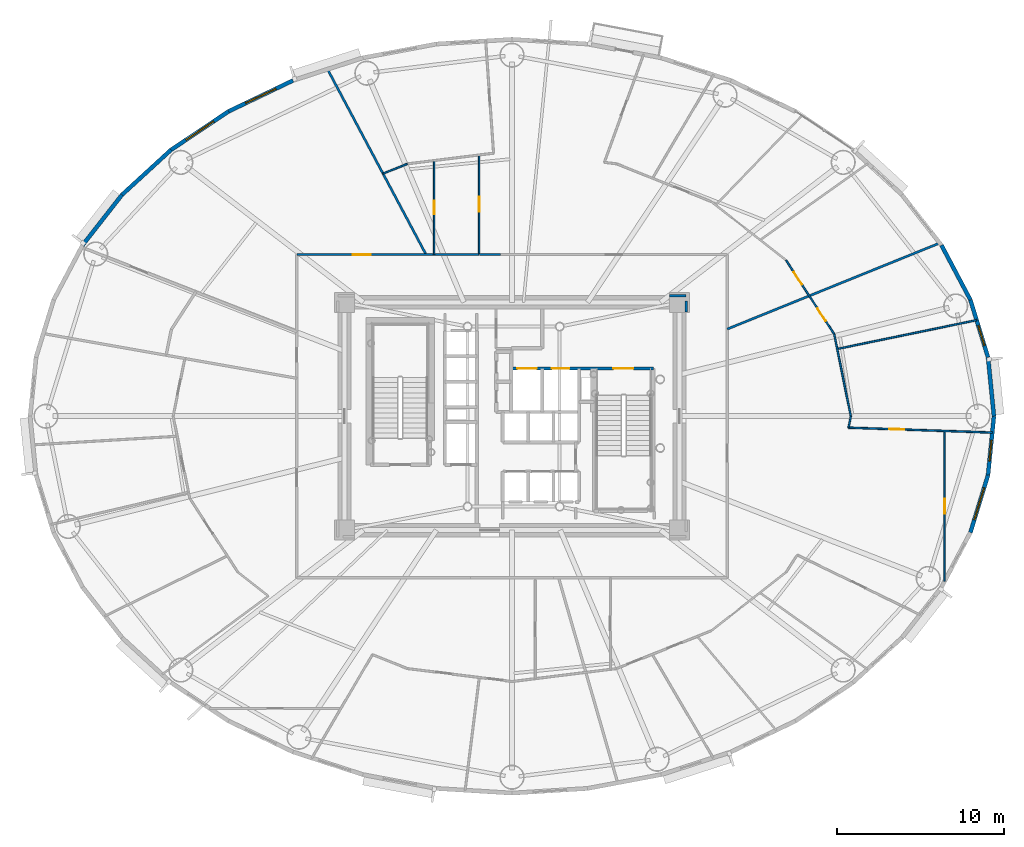
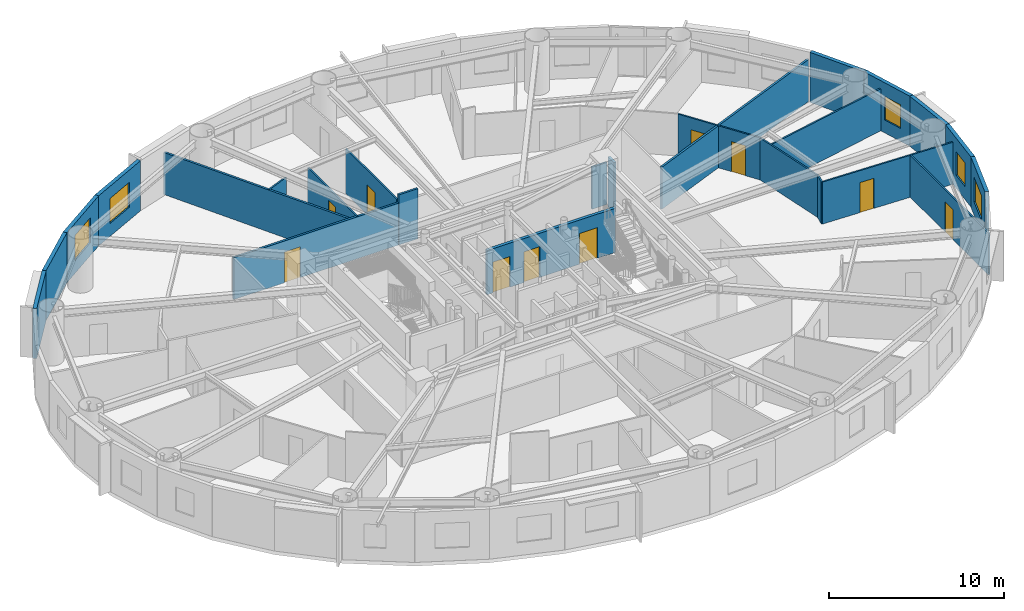
# One storey, part 13 of 20: 25 walls, 10 doors, 5 windows, 15 openings.
"""IFC4 building model written with IfcOpenShell, lengths in metres."""

from ifc_helpers import new_model, si_unit, direction, frame, frame_2d, origin, origin_2d, place, context, subcontext, project, spatial, rectangle, extrude, source, transform, mapped, material, layer, layer_set, type_object, element, fill, save


model = new_model("IFC4")

# Units and contexts
model_context = context("Model", 3, precision=1e-05, world=origin(), true_north=direction((0.0, 1.0)))
body_context = subcontext(model_context, "Body", "Model", "MODEL_VIEW")
ifc_project = project(units=[si_unit("LENGTHUNIT", "METRE"), si_unit("AREAUNIT", "SQUARE_METRE"), si_unit("VOLUMEUNIT", "CUBIC_METRE"), si_unit("PLANEANGLEUNIT", "RADIAN"), si_unit("MASSUNIT", "GRAM", prefix="KILO")], contexts=[model_context])

# Site, building, storey
site_placement = place(None, origin())
site = spatial("IfcSite", under=ifc_project, at=site_placement, CompositionType="ELEMENT")
building_placement = place(site_placement, origin())
building = spatial("IfcBuilding", under=site, at=building_placement, Name="Linh Dai School and Residence Tower", CompositionType="ELEMENT")
storey_placement = place(building_placement, frame((0.0, 0.0, 127.199951171875)))
storey = spatial("IfcBuildingStorey", under=building, at=storey_placement, Name="L30", CompositionType="ELEMENT", Elevation=127.199951171875)

# Wall
ifc_material_1 = material(Name="Precast Concrete B45 (C35/45)", Category="concrete")
ifc_layer_1 = layer(ifc_material_1, 0.239990234375)
ifc_layer_set_1 = layer_set([ifc_layer_1], Name="Precast Concrete B45 (C35/45)")
wall_type_1 = type_object("IfcWallType", Name="EW-TC-240", PredefinedType="SOLIDWALL", material=ifc_layer_set_1)
wall_1_placement = place(storey_placement, frame((64.421630859375, 30.515380859375, 0.0), z_axis=(0.0, 0.0, 1.0), x_axis=(0.099989468229, -0.994988495533, 0.0)))
element("IfcWall", 1, at=wall_1_placement, inside=storey, type_object=wall_type_1, Name="L30 Terracotta Exterior Wall 01", PredefinedType="SOLIDWALL", context=body_context, shape_type="SweptSolid", body=[
    extrude(rectangle(XDim=3.533203125, YDim=0.239990234375, at=frame_2d((1.7666015625, 0.0))), origin(), (0.0, 0.0, 1.0), 3.5),
])

# Wall, opening, window
wall_2_placement = place(storey_placement, frame((63.3701171875, 33.945068359375, 0.0), z_axis=(0.0, 0.0, 1.0), x_axis=(0.293124431344, -0.956074300329, 0.0)))
wall_2 = element("IfcWall", 2, at=wall_2_placement, inside=storey, type_object=wall_type_1, Name="L30 Terracotta Exterior Wall 02", PredefinedType="SOLIDWALL", context=body_context, shape_type="SweptSolid", body=[
    extrude(rectangle(XDim=3.587158203125, YDim=0.239990234375, at=frame_2d((1.79345703125, 0.0))), origin(), (0.0, 0.0, 1.0), 3.5),
])
opening_1_placement = place(wall_2_placement, frame((1.599365234375, 0.0, 0.89990234375)))
opening_1 = element("IfcOpeningElement", 3, at=opening_1_placement, cuts=wall_2, Name="Opening W3", PredefinedType="OPENING", context=body_context, shape_type="SweptSolid", body=[
    extrude(rectangle(XDim=1.25, YDim=1.64990234375, at=origin_2d()), frame((0.625, 0.1298828125, 0.824951171875), z_axis=(0.0, -1.0, 0.0), x_axis=(1.0, 0.0, 0.0)), (0.0, 0.0, 1.0), 0.260009765625),
])
ifc_material_2 = material(Name="Double Low-E Insulated Glazing", Category="glass")
window_type_1 = type_object("IfcWindowType", Name="WN-RES-1250x1650", PartitioningType="SINGLE_PANEL", PredefinedType="WINDOW", material=ifc_material_2)
shared_shape_1 = source(origin(), body_context, "Body", "SweptSolid", [
    extrude(rectangle(XDim=1.25, YDim=1.64990234375, at=origin_2d()), frame((0.625, 0.030029296875, 0.824951171875), z_axis=(0.0, -1.0, 0.0), x_axis=(1.0, 0.0, 0.0)), (0.0, 0.0, 1.0), 0.06005859375),
])
window_1_placement = place(opening_1_placement, origin())
window_1 = element("IfcWindow", 4, at=window_1_placement, inside=storey, type_object=window_type_1, Name="L30 Exterior Window 02.1", OverallHeight=1.64990234375, OverallWidth=1.25, PartitioningType="SINGLE_PANEL", PredefinedType="WINDOW", context=body_context, shape_type="MappedRepresentation", body=[
    mapped(shared_shape_1, transform((0.0, 0.0, 0.0), x_axis=(1.0, 0.0, 0.0), y_axis=(0.0, 1.0, 0.0), z_axis=(0.0, 0.0, 1.0), scale=1.0)),
])
fill(opening_1, window_1)

# Wall
wall_3_placement = place(storey_placement, frame((61.645263671875, 37.20556640625, 0.0), z_axis=(0.0, 0.0, 1.0), x_axis=(0.467614004126, -0.883932770716, 0.0)))
element("IfcWall", 5, at=wall_3_placement, inside=storey, type_object=wall_type_1, Name="L30 Terracotta Exterior Wall 03", PredefinedType="SOLIDWALL", context=body_context, shape_type="SweptSolid", body=[
    extrude(rectangle(XDim=3.688720703125, YDim=0.239990234375, at=frame_2d((1.84423828125, 0.0))), origin(), (0.0, 0.0, 1.0), 3.5),
])

# Wall, opening, window
wall_4_placement = place(storey_placement, frame((19.07470703125, 45.199462890625, 0.0), z_axis=(0.0, 0.0, 1.0), x_axis=(0.901589935876, 0.432591709962, 0.0)))
wall_4 = element("IfcWall", 6, at=wall_4_placement, inside=storey, type_object=wall_type_1, Name="L30 Terracotta Exterior Wall 14", PredefinedType="SOLIDWALL", context=body_context, shape_type="SweptSolid", body=[
    extrude(rectangle(XDim=4.271728515625, YDim=0.239990234375, at=frame_2d((2.1357421875, 0.0))), origin(), (0.0, 0.0, 1.0), 3.5),
])
opening_2_placement = place(wall_4_placement, frame((1.135986328125, 0.0, 0.89990234375)))
opening_2 = element("IfcOpeningElement", 7, at=opening_2_placement, cuts=wall_4, Name="Opening W1", PredefinedType="OPENING", context=body_context, shape_type="SweptSolid", body=[
    extrude(rectangle(XDim=2.0, YDim=1.75, at=origin_2d()), frame((1.0, 0.1298828125, 0.875), z_axis=(0.0, -1.0, 0.0), x_axis=(1.0, 0.0, 0.0)), (0.0, 0.0, 1.0), 0.260009765625),
])
window_type_2 = type_object("IfcWindowType", Name="WN-RES-2000x1750", PartitioningType="DOUBLE_PANEL_VERTICAL", PredefinedType="WINDOW", material=ifc_material_2)
shared_shape_2 = source(origin(), body_context, "Body", "SweptSolid", [
    extrude(rectangle(XDim=2.0, YDim=1.75, at=origin_2d()), frame((1.0, 0.030029296875, 0.875), z_axis=(0.0, -1.0, 0.0), x_axis=(1.0, 0.0, 0.0)), (0.0, 0.0, 1.0), 0.06005859375),
])
window_2_placement = place(opening_2_placement, origin())
window_2 = element("IfcWindow", 8, at=window_2_placement, inside=storey, type_object=window_type_2, Name="L30 Exterior Window 14.1", OverallHeight=1.75, OverallWidth=2.0, PartitioningType="DOUBLE_PANEL_VERTICAL", PredefinedType="WINDOW", context=body_context, shape_type="MappedRepresentation", body=[
    mapped(shared_shape_2, transform((0.0, 0.0, 0.0), x_axis=(1.0, 0.0, 0.0), y_axis=(0.0, 1.0, 0.0), z_axis=(0.0, 0.0, 1.0), scale=1.0)),
])
fill(opening_2, window_2)

wall_5_placement = place(storey_placement, frame((15.6416015625, 42.9033203125, 0.0), z_axis=(0.0, 0.0, 1.0), x_axis=(0.831221811447, 0.555940914284, 0.0)))
wall_5 = element("IfcWall", 9, at=wall_5_placement, inside=storey, type_object=wall_type_1, Name="L30 Terracotta Exterior Wall 15", PredefinedType="SOLIDWALL", context=body_context, shape_type="SweptSolid", body=[
    extrude(rectangle(XDim=4.130126953125, YDim=0.239990234375, at=frame_2d((2.06494140625, 0.0))), origin(), (0.0, 0.0, 1.0), 3.5),
])
opening_3_placement = place(wall_5_placement, frame((1.065185546875, 0.0, 0.89990234375)))
opening_3 = element("IfcOpeningElement", 10, at=opening_3_placement, cuts=wall_5, Name="Opening W1", PredefinedType="OPENING", context=body_context, shape_type="SweptSolid", body=[
    extrude(rectangle(XDim=2.0, YDim=1.75, at=origin_2d()), frame((1.0, 0.1298828125, 0.875), z_axis=(0.0, -1.0, 0.0), x_axis=(1.0, 0.0, 0.0)), (0.0, 0.0, 1.0), 0.260009765625),
])
window_3_placement = place(opening_3_placement, origin())
window_3 = element("IfcWindow", 11, at=window_3_placement, inside=storey, type_object=window_type_2, Name="L30 Exterior Window 15.1", OverallHeight=1.75, OverallWidth=2.0, PartitioningType="DOUBLE_PANEL_VERTICAL", PredefinedType="WINDOW", context=body_context, shape_type="MappedRepresentation", body=[
    mapped(shared_shape_2, transform((0.0, 0.0, 0.0), x_axis=(1.0, 0.0, 0.0), y_axis=(0.0, 1.0, 0.0), z_axis=(0.0, 0.0, 1.0), scale=1.0)),
])
fill(opening_3, window_3)

# Walls
wall_6_placement = place(storey_placement, frame((12.7109375, 40.216552734375, 0.0), z_axis=(0.0, 0.0, 1.0), x_axis=(0.737113356241, 0.675769117414, 0.0)))
element("IfcWall", 12, at=wall_6_placement, inside=storey, type_object=wall_type_1, Name="L30 Terracotta Exterior Wall 16", PredefinedType="SOLIDWALL", context=body_context, shape_type="SweptSolid", body=[
    extrude(rectangle(XDim=3.975830078125, YDim=0.239990234375, at=frame_2d((1.98779296875, 0.0))), origin(), (0.0, 0.0, 1.0), 3.5),
])
wall_7_placement = place(storey_placement, frame((10.354736328125, 37.20556640625, 0.0), z_axis=(0.0, 0.0, 1.0), x_axis=(0.616272103517, 0.787533297345, 0.0)))
element("IfcWall", 13, at=wall_7_placement, inside=storey, type_object=wall_type_1, Name="L30 Terracotta Exterior Wall 17", PredefinedType="SOLIDWALL", context=body_context, shape_type="SweptSolid", body=[
    extrude(rectangle(XDim=3.8232421875, YDim=0.239990234375, at=frame_2d((1.91162109375, 0.0))), origin(), (0.0, 0.0, 1.0), 3.5),
])

# Wall, opening, window
wall_8_placement = place(storey_placement, frame((64.421630859375, 23.484619140625, 0.0), z_axis=(0.0, 0.0, 1.0), x_axis=(-0.293124431344, -0.956074300329, 0.0)))
wall_8 = element("IfcWall", 14, at=wall_8_placement, inside=storey, type_object=wall_type_1, Name="L30 Terracotta Exterior Wall 39", PredefinedType="SOLIDWALL", context=body_context, shape_type="SweptSolid", body=[
    extrude(rectangle(XDim=3.587158203125, YDim=0.239990234375, at=frame_2d((1.79345703125, 0.0))), origin(), (0.0, 0.0, 1.0), 3.5),
])
opening_4_placement = place(wall_8_placement, frame((0.793701171875, 0.0, 0.89990234375)))
opening_4 = element("IfcOpeningElement", 15, at=opening_4_placement, cuts=wall_8, Name="Opening W1", PredefinedType="OPENING", context=body_context, shape_type="SweptSolid", body=[
    extrude(rectangle(XDim=2.0, YDim=1.75, at=origin_2d()), frame((1.0, 0.1298828125, 0.875), z_axis=(0.0, -1.0, 0.0), x_axis=(1.0, 0.0, 0.0)), (0.0, 0.0, 1.0), 0.260009765625),
])
window_4_placement = place(opening_4_placement, origin())
window_4 = element("IfcWindow", 16, at=window_4_placement, inside=storey, type_object=window_type_2, Name="L30 Exterior Window 39.1", OverallHeight=1.75, OverallWidth=2.0, PartitioningType="DOUBLE_PANEL_VERTICAL", PredefinedType="WINDOW", context=body_context, shape_type="MappedRepresentation", body=[
    mapped(shared_shape_2, transform((0.0, 0.0, 0.0), x_axis=(1.0, 0.0, 0.0), y_axis=(0.0, 1.0, 0.0), z_axis=(0.0, 0.0, 1.0), scale=1.0)),
])
fill(opening_4, window_4)

wall_9_placement = place(storey_placement, frame((64.77490234375, 27.0, 0.0), z_axis=(0.0, 0.0, 1.0), x_axis=(-0.099989468229, -0.994988495533, 0.0)))
wall_9 = element("IfcWall", 17, at=wall_9_placement, inside=storey, type_object=wall_type_1, Name="L30 Terracotta Exterior Wall 40", PredefinedType="SOLIDWALL", context=body_context, shape_type="SweptSolid", body=[
    extrude(rectangle(XDim=3.533203125, YDim=0.239990234375, at=frame_2d((1.7666015625, 0.0))), origin(), (0.0, 0.0, 1.0), 3.5),
])
opening_5_placement = place(wall_9_placement, frame((1.43994140625, 0.0, 0.89990234375)))
opening_5 = element("IfcOpeningElement", 18, at=opening_5_placement, cuts=wall_9, Name="Opening W3", PredefinedType="OPENING", context=body_context, shape_type="SweptSolid", body=[
    extrude(rectangle(XDim=1.25, YDim=1.64990234375, at=origin_2d()), frame((0.625, 0.1298828125, 0.824951171875), z_axis=(0.0, -1.0, 0.0), x_axis=(1.0, 0.0, 0.0)), (0.0, 0.0, 1.0), 0.260009765625),
])
window_5_placement = place(opening_5_placement, origin())
window_5 = element("IfcWindow", 19, at=window_5_placement, inside=storey, type_object=window_type_1, Name="L30 Exterior Window 40.1", OverallHeight=1.64990234375, OverallWidth=1.25, PartitioningType="SINGLE_PANEL", PredefinedType="WINDOW", context=body_context, shape_type="MappedRepresentation", body=[
    mapped(shared_shape_1, transform((0.0, 0.0, 0.0), x_axis=(1.0, 0.0, 0.0), y_axis=(0.0, 1.0, 0.0), z_axis=(0.0, 0.0, 1.0), scale=1.0)),
])
fill(opening_5, window_5)

# Wall, opening, door
ifc_material_3 = material(Name="Autoclaved Aerated Concrete Blockwork", Category="masonry")
ifc_layer_2 = layer(ifc_material_3, 0.135009765625)
ifc_layer_set_2 = layer_set([ifc_layer_2], Name="Autoclaved Aerated Concrete Blockwork")
wall_type_2 = type_object("IfcWallType", Name="IW-CORR-135-EI90", PredefinedType="PARTITIONING", material=ifc_layer_set_2)
wall_10_placement = place(storey_placement, frame((23.14990234375, 36.64990234375, 0.0), z_axis=(0.0, 0.0, 1.0), x_axis=(1.0, 0.0, 0.0)))
wall_10 = element("IfcWall", 20, at=wall_10_placement, inside=storey, type_object=wall_type_2, Name="L30 Interior Partition Wall 019", PredefinedType="PARTITIONING", context=body_context, shape_type="SweptSolid", body=[
    extrude(rectangle(XDim=10.889404296875, YDim=0.135009765625, at=frame_2d((5.44482421875, 0.0))), origin(), (0.0, 0.0, 1.0), 2.93505859375),
])
opening_6_placement = place(wall_10_placement, frame((3.3544921875, 0.0, 0.0)))
opening_6 = element("IfcOpeningElement", 21, at=opening_6_placement, cuts=wall_10, Name="Opening D04", PredefinedType="OPENING", context=body_context, shape_type="SweptSolid", body=[
    extrude(rectangle(XDim=1.050048828125, YDim=2.14990234375, at=origin_2d()), frame((0.52490234375, 0.07763671875, 1.074951171875), z_axis=(0.0, -1.0, 0.0), x_axis=(1.0, 0.0, 0.0)), (0.0, 0.0, 1.0), 0.155029296875),
])
ifc_material_4 = material(Name="Acoustic Vision-Panel Timber Classroom Door", Category="wood")
door_type_1 = type_object("IfcDoorType", Name="DR-SCH-1050x2150-FD60S", OperationType="NOTDEFINED", PredefinedType="DOOR", material=ifc_material_4)
shared_shape_3 = source(origin(), body_context, "Body", "SweptSolid", [
    extrude(rectangle(XDim=1.050048828125, YDim=2.14990234375, at=origin_2d()), frame((0.52490234375, 0.02490234375, 1.074951171875), z_axis=(0.0, -1.0, 0.0), x_axis=(1.0, 0.0, 0.0)), (0.0, 0.0, 1.0), 0.050048828125),
])
door_1_placement = place(opening_6_placement, origin())
door_1 = element("IfcDoor", 22, at=door_1_placement, inside=storey, type_object=door_type_1, Name="L30 Children Indoor Playroom Door", OperationType="SINGLE_SWING_LEFT", OverallHeight=2.14990234375, OverallWidth=1.050048828125, PredefinedType="DOOR", context=body_context, shape_type="MappedRepresentation", body=[
    mapped(shared_shape_3, transform((0.0, 0.0, 0.0), x_axis=(1.0, 0.0, 0.0), y_axis=(0.0, 1.0, 0.0), z_axis=(0.0, 0.0, 1.0), scale=1.0)),
])
fill(opening_6, door_1)

# Walls
wall_11_placement = place(storey_placement, frame((24.983154296875, 47.7197265625, 0.0), z_axis=(0.0, 0.0, 1.0), x_axis=(0.469467959591, -0.882949508702, 0.0)))
element("IfcWall", 23, at=wall_11_placement, inside=storey, type_object=wall_type_2, Name="L30 Interior Partition Wall 021", PredefinedType="PARTITIONING", context=body_context, shape_type="SweptSolid", body=[
    extrude(rectangle(XDim=12.537109375, YDim=0.135009765625, at=frame_2d((6.2685546875, 0.0))), origin(), (0.0, 0.0, 1.0), 2.93505859375),
])
wall_12_placement = place(storey_placement, frame((48.85009765625, 32.2021484375, 0.0), z_axis=(0.0, 0.0, 1.0), x_axis=(0.92691714139, 0.375266056281, 0.0)))
element("IfcWall", 24, at=wall_12_placement, inside=storey, type_object=wall_type_2, Name="L30 Interior Partition Wall 083", PredefinedType="PARTITIONING", context=body_context, shape_type="SweptSolid", body=[
    extrude(rectangle(XDim=13.696044921875, YDim=0.135009765625, at=frame_2d((6.84814453125, 0.0))), origin(), (0.0, 0.0, 1.0), 2.93505859375),
])
wall_13_placement = place(storey_placement, frame((34.04931640625, 36.64990234375, 0.0), z_axis=(0.0, 0.0, 1.0), x_axis=(1.0, 0.0, 0.0)))
element("IfcWall", 25, at=wall_13_placement, inside=storey, type_object=wall_type_2, Name="L30 Interior Partition Wall 104", PredefinedType="PARTITIONING", context=body_context, shape_type="SweptSolid", body=[
    extrude(rectangle(XDim=1.26416015625, YDim=0.135009765625, at=frame_2d((0.632080078125, 0.0))), origin(), (0.0, 0.0, 1.0), 3.5),
])
wall_14_placement = place(storey_placement, frame((46.39990234375, 34.199951171875, 0.0), z_axis=(0.0, 0.0, 1.0), x_axis=(-1.0, 0.0, 0.0)))
element("IfcWall", 26, at=wall_14_placement, inside=storey, type_object=wall_type_2, Name="L30 Interior Partition Wall 106", PredefinedType="PARTITIONING", context=body_context, shape_type="SweptSolid", body=[
    extrude(rectangle(XDim=0.989990234375, YDim=0.135009765625, at=frame_2d((0.4951171875, 0.0))), origin(), (0.0, 0.0, 1.0), 2.93505859375),
])
wall_15_placement = place(storey_placement, frame((46.39990234375, 33.2099609375, 0.0), z_axis=(0.0, 0.0, 1.0), x_axis=(0.0, 1.0, 0.0)))
element("IfcWall", 27, at=wall_15_placement, inside=storey, type_object=wall_type_2, Name="L30 Interior Partition Wall 113", PredefinedType="PARTITIONING", context=body_context, shape_type="SweptSolid", body=[
    extrude(rectangle(XDim=0.6826171875, YDim=0.135009765625, at=frame_2d((0.34130859375, 0.0))), origin(), (0.0, 0.0, 1.0), 3.5),
])

# Wall, openings, doors
ifc_material_5 = material(Name="Concrete B45 (C35/45)", Category="concrete")
ifc_layer_3 = layer(ifc_material_5, 0.199951171875)
ifc_layer_set_3 = layer_set([ifc_layer_3], Name="Concrete B45 (C35/45)")
wall_type_3 = type_object("IfcWallType", Name="IW-SHAFT-200-EI120", PredefinedType="PARTITIONING", material=ifc_layer_set_3)
wall_16_placement = place(storey_placement, frame((35.949951171875, 29.85009765625, 0.0), z_axis=(0.0, 0.0, 1.0), x_axis=(1.0, 0.0, 0.0)))
wall_16 = element("IfcWall", 28, at=wall_16_placement, inside=storey, type_object=wall_type_3, Name="L30 Interior Partition Wall 051", PredefinedType="PARTITIONING", context=body_context, shape_type="SweptSolid", body=[
    extrude(rectangle(XDim=8.489990234375, YDim=0.199951171875, at=frame_2d((4.2451171875, 0.0))), origin(), (0.0, 0.0, 1.0), 3.0849609375),
])
opening_7_placement = place(wall_16_placement, frame((6.10009765625, 0.0, 0.0)))
opening_7 = element("IfcOpeningElement", 29, at=opening_7_placement, cuts=wall_16, Name="Opening D01", PredefinedType="OPENING", context=body_context, shape_type="SweptSolid", body=[
    extrude(rectangle(XDim=1.199951171875, YDim=2.14990234375, at=origin_2d()), frame((0.60009765625, 0.10986328125, 1.074951171875), z_axis=(0.0, -1.0, 0.0), x_axis=(1.0, 0.0, 0.0)), (0.0, 0.0, 1.0), 0.219970703125),
])
opening_8_placement = place(wall_16_placement, frame((0.3701171875, 0.0, 0.0)))
opening_8 = element("IfcOpeningElement", 30, at=opening_8_placement, cuts=wall_16, Name="Opening LD-FF1", PredefinedType="OPENING", context=body_context, shape_type="SweptSolid", body=[
    extrude(rectangle(XDim=1.14990234375, YDim=2.14990234375, at=origin_2d()), frame((0.574951171875, 0.10986328125, 1.074951171875), z_axis=(0.0, -1.0, 0.0), x_axis=(1.0, 0.0, 0.0)), (0.0, 0.0, 1.0), 0.219970703125),
])
opening_9_placement = place(wall_16_placement, frame((2.425048828125, 0.0, 0.0)))
opening_9 = element("IfcOpeningElement", 31, at=opening_9_placement, cuts=wall_16, Name="Opening LD-SV1", PredefinedType="OPENING", context=body_context, shape_type="SweptSolid", body=[
    extrude(rectangle(XDim=1.050048828125, YDim=2.14990234375, at=origin_2d()), frame((0.52490234375, 0.10986328125, 1.074951171875), z_axis=(0.0, -1.0, 0.0), x_axis=(1.0, 0.0, 0.0)), (0.0, 0.0, 1.0), 0.219970703125),
])
ifc_material_6 = material(Name="Fire-Rated Steel Door Leaf", Category="steel")
door_type_2 = type_object("IfcDoorType", Name="DR-STAIR-1200x2150-FD90S", OperationType="NOTDEFINED", PredefinedType="DOOR", material=ifc_material_6)
shared_shape_4 = source(origin(), body_context, "Body", "SweptSolid", [
    extrude(rectangle(XDim=1.199951171875, YDim=2.14990234375, at=origin_2d()), frame((0.60009765625, 0.02490234375, 1.074951171875), z_axis=(0.0, -1.0, 0.0), x_axis=(1.0, 0.0, 0.0)), (0.0, 0.0, 1.0), 0.050048828125),
])
door_2_placement = place(opening_7_placement, origin())
door_2 = element("IfcDoor", 32, at=door_2_placement, inside=storey, type_object=door_type_2, Name="L30 Core Smokeproof Exit Stair ST2 Door", OperationType="SINGLE_SWING_RIGHT", OverallHeight=2.14990234375, OverallWidth=1.199951171875, PredefinedType="DOOR", context=body_context, shape_type="MappedRepresentation", body=[
    mapped(shared_shape_4, transform((0.0, 0.0, 0.0), x_axis=(1.0, 0.0, 0.0), y_axis=(0.0, 1.0, 0.0), z_axis=(0.0, 0.0, 1.0), scale=1.0)),
])
fill(opening_7, door_2)
ifc_material_7 = material(Name="Fire-Rated Stainless Steel Firefighting Lift Door", Category="steel")
door_type_3 = type_object("IfcDoorType", Name="DR-LD-FF-1150x2150-FD120", OperationType="DOUBLE_DOOR_SLIDING", PredefinedType="USERDEFINED", material=ifc_material_7)
shared_shape_5 = source(origin(), body_context, "Body", "SweptSolid", [
    extrude(rectangle(XDim=1.14990234375, YDim=2.14990234375, at=origin_2d()), frame((0.574951171875, 0.02490234375, 1.074951171875), z_axis=(0.0, -1.0, 0.0), x_axis=(1.0, 0.0, 0.0)), (0.0, 0.0, 1.0), 0.050048828125),
])
door_3_placement = place(opening_8_placement, origin())
door_3 = element("IfcDoor", 33, at=door_3_placement, inside=storey, type_object=door_type_3, Name="L30 Lift FF1 Sliding Landing Door", ObjectType="LANDING DOOR", OperationType="DOUBLE_DOOR_SLIDING", OverallHeight=2.14990234375, OverallWidth=1.14990234375, PredefinedType="USERDEFINED", context=body_context, shape_type="MappedRepresentation", body=[
    mapped(shared_shape_5, transform((0.0, 0.0, 0.0), x_axis=(1.0, 0.0, 0.0), y_axis=(0.0, 1.0, 0.0), z_axis=(0.0, 0.0, 1.0), scale=1.0)),
])
fill(opening_8, door_3)
ifc_material_8 = material(Name="Brushed Stainless Steel Lift Landing Door", Category="steel")
door_type_4 = type_object("IfcDoorType", Name="DR-LD-PASS-1050x2150", OperationType="DOUBLE_DOOR_SLIDING", PredefinedType="USERDEFINED", material=ifc_material_8)
shared_shape_6 = source(origin(), body_context, "Body", "SweptSolid", [
    extrude(rectangle(XDim=1.050048828125, YDim=2.14990234375, at=origin_2d()), frame((0.52490234375, 0.02490234375, 1.074951171875), z_axis=(0.0, -1.0, 0.0), x_axis=(1.0, 0.0, 0.0)), (0.0, 0.0, 1.0), 0.050048828125),
])
door_4_placement = place(opening_9_placement, origin())
door_4 = element("IfcDoor", 34, at=door_4_placement, inside=storey, type_object=door_type_4, Name="L30 Lift SV1 Sliding Landing Door", ObjectType="LANDING DOOR", OperationType="DOUBLE_DOOR_SLIDING", OverallHeight=2.14990234375, OverallWidth=1.050048828125, PredefinedType="USERDEFINED", context=body_context, shape_type="MappedRepresentation", body=[
    mapped(shared_shape_6, transform((0.0, 0.0, 0.0), x_axis=(1.0, 0.0, 0.0), y_axis=(0.0, 1.0, 0.0), z_axis=(0.0, 0.0, 1.0), scale=1.0)),
])
fill(opening_9, door_4)

# Wall
ifc_material_9 = material(Name="Gypsum Plasterboard Acoustic Stud Partition", Category="masonry")
ifc_layer_4 = layer(ifc_material_9, 0.10009765625)
ifc_layer_set_4 = layer_set([ifc_layer_4], Name="Gypsum Plasterboard Acoustic Stud Partition")
wall_type_4 = type_object("IfcWallType", Name="IW-UNIT-100", PredefinedType="PARTITIONING", material=ifc_layer_set_4)
wall_17_placement = place(storey_placement, frame((28.29736328125, 41.486572265625, 0.0), z_axis=(0.0, 0.0, 1.0), x_axis=(0.928778117732, 0.370636220602, 0.0)))
element("IfcWall", 35, at=wall_17_placement, inside=storey, type_object=wall_type_4, Name="L30 Interior Partition Wall 024", PredefinedType="PARTITIONING", context=body_context, shape_type="SweptSolid", body=[
    extrude(rectangle(XDim=1.5625, YDim=0.10009765625, at=frame_2d((0.78125, 0.0))), origin(), (0.0, 0.0, 1.0), 2.93505859375),
])

# Wall, opening, door
wall_18_placement = place(storey_placement, frame((31.3515625, 36.64990234375, 0.0), z_axis=(0.0, 0.0, 1.0), x_axis=(0.0, 1.0, 0.0)))
wall_18 = element("IfcWall", 36, at=wall_18_placement, inside=storey, type_object=wall_type_4, Name="L30 Interior Partition Wall 028", PredefinedType="PARTITIONING", context=body_context, shape_type="SweptSolid", body=[
    extrude(rectangle(XDim=5.614501953125, YDim=0.10009765625, at=frame_2d((2.80712890625, 0.0))), origin(), (0.0, 0.0, 1.0), 2.93505859375),
])
opening_10_placement = place(wall_18_placement, frame((2.397216796875, 0.0, 0.0)))
opening_10 = element("IfcOpeningElement", 37, at=opening_10_placement, cuts=wall_18, Name="Opening D06", PredefinedType="OPENING", context=body_context, shape_type="SweptSolid", body=[
    extrude(rectangle(XDim=0.820068359375, YDim=2.10009765625, at=origin_2d()), frame((0.41015625, 0.06005859375, 1.050048828125), z_axis=(0.0, -1.0, 0.0), x_axis=(1.0, 0.0, 0.0)), (0.0, 0.0, 1.0), 0.1201171875),
])
ifc_material_10 = material(Name="Moisture-Resistant Timber Bathroom Door", Category="wood")
door_type_5 = type_object("IfcDoorType", Name="DR-WET-820x2100", OperationType="NOTDEFINED", PredefinedType="DOOR", material=ifc_material_10)
shared_shape_7 = source(origin(), body_context, "Body", "SweptSolid", [
    extrude(rectangle(XDim=0.820068359375, YDim=2.10009765625, at=origin_2d()), frame((0.41015625, 0.02490234375, 1.050048828125), z_axis=(0.0, -1.0, 0.0), x_axis=(1.0, 0.0, 0.0)), (0.0, 0.0, 1.0), 0.050048828125),
])
door_5_placement = place(opening_10_placement, origin())
door_5 = element("IfcDoor", 38, at=door_5_placement, inside=storey, type_object=door_type_5, Name="L30 Apartment U3003 Bathroom 1 Door", OperationType="SINGLE_SWING_RIGHT", OverallHeight=2.10009765625, OverallWidth=0.820068359375, PredefinedType="DOOR", context=body_context, shape_type="MappedRepresentation", body=[
    mapped(shared_shape_7, transform((0.0, 0.0, 0.0), x_axis=(1.0, 0.0, 0.0), y_axis=(0.0, 1.0, 0.0), z_axis=(0.0, 0.0, 1.0), scale=1.0)),
])
fill(opening_10, door_5)

wall_19_placement = place(storey_placement, frame((34.039306640625, 36.714111328125, 0.0), z_axis=(0.0, 0.0, 1.0), x_axis=(0.0, 1.0, 0.0)))
wall_19 = element("IfcWall", 39, at=wall_19_placement, inside=storey, type_object=wall_type_4, Name="L30 Interior Partition Wall 037", PredefinedType="PARTITIONING", context=body_context, shape_type="SweptSolid", body=[
    extrude(rectangle(XDim=5.8837890625, YDim=0.10009765625, at=frame_2d((2.94189453125, 0.0))), origin(), (0.0, 0.0, 1.0), 3.125),
])
opening_11_placement = place(wall_19_placement, frame((2.491943359375, 0.0, 0.0)))
opening_11 = element("IfcOpeningElement", 40, at=opening_11_placement, cuts=wall_19, Name="Opening D05", PredefinedType="OPENING", context=body_context, shape_type="SweptSolid", body=[
    extrude(rectangle(XDim=0.89990234375, YDim=2.10009765625, at=origin_2d()), frame((0.449951171875, 0.06005859375, 1.050048828125), z_axis=(0.0, -1.0, 0.0), x_axis=(1.0, 0.0, 0.0)), (0.0, 0.0, 1.0), 0.1201171875),
])
ifc_material_11 = material(Name="Engineered Timber Internal Door", Category="wood")
door_type_6 = type_object("IfcDoorType", Name="DR-INT-900x2100", OperationType="NOTDEFINED", PredefinedType="DOOR", material=ifc_material_11)
shared_shape_8 = source(origin(), body_context, "Body", "SweptSolid", [
    extrude(rectangle(XDim=0.89990234375, YDim=2.10009765625, at=origin_2d()), frame((0.449951171875, 0.02490234375, 1.050048828125), z_axis=(0.0, -1.0, 0.0), x_axis=(1.0, 0.0, 0.0)), (0.0, 0.0, 1.0), 0.050048828125),
])
door_6_placement = place(opening_11_placement, origin())
door_6 = element("IfcDoor", 41, at=door_6_placement, inside=storey, type_object=door_type_6, Name="L30 Apartment U3003 Kitchen Door", OperationType="SINGLE_SWING_LEFT", OverallHeight=2.10009765625, OverallWidth=0.89990234375, PredefinedType="DOOR", context=body_context, shape_type="MappedRepresentation", body=[
    mapped(shared_shape_8, transform((0.0, 0.0, 0.0), x_axis=(1.0, 0.0, 0.0), y_axis=(0.0, 1.0, 0.0), z_axis=(0.0, 0.0, 1.0), scale=1.0)),
])
fill(opening_11, door_6)

# Wall, openings, doors
wall_20_placement = place(storey_placement, frame((52.366455078125, 36.31103515625, 0.0), z_axis=(0.0, 0.0, 1.0), x_axis=(0.545405249109, -0.838172484781, 0.0)))
wall_20 = element("IfcWall", 42, at=wall_20_placement, inside=storey, type_object=wall_type_4, Name="L30 Interior Partition Wall 087", PredefinedType="PARTITIONING", context=body_context, shape_type="SweptSolid", body=[
    extrude(rectangle(XDim=5.2685546875, YDim=0.10009765625, at=frame_2d((2.63427734375, 0.0))), origin(), (0.0, 0.0, 1.0), 2.93505859375),
])
opening_12_placement = place(wall_20_placement, frame((3.43212890625, 0.0, 0.0)))
opening_12 = element("IfcOpeningElement", 43, at=opening_12_placement, cuts=wall_20, Name="Opening D05", PredefinedType="OPENING", context=body_context, shape_type="SweptSolid", body=[
    extrude(rectangle(XDim=0.89990234375, YDim=2.10009765625, at=origin_2d()), frame((0.449951171875, 0.06005859375, 1.050048828125), z_axis=(0.0, -1.0, 0.0), x_axis=(1.0, 0.0, 0.0)), (0.0, 0.0, 1.0), 0.1201171875),
])
opening_13_placement = place(wall_20_placement, frame((0.837890625, 0.0, 0.0)))
opening_13 = element("IfcOpeningElement", 44, at=opening_13_placement, cuts=wall_20, Name="Opening D05", PredefinedType="OPENING", context=body_context, shape_type="SweptSolid", body=[
    extrude(rectangle(XDim=0.89990234375, YDim=2.10009765625, at=origin_2d()), frame((0.449951171875, 0.06005859375, 1.050048828125), z_axis=(0.0, -1.0, 0.0), x_axis=(1.0, 0.0, 0.0)), (0.0, 0.0, 1.0), 0.1201171875),
])
door_7_placement = place(opening_12_placement, origin())
door_7 = element("IfcDoor", 45, at=door_7_placement, inside=storey, type_object=door_type_6, Name="L30 Apartment U3002 Study Door", OperationType="SINGLE_SWING_RIGHT", OverallHeight=2.10009765625, OverallWidth=0.89990234375, PredefinedType="DOOR", context=body_context, shape_type="MappedRepresentation", body=[
    mapped(shared_shape_8, transform((0.0, 0.0, 0.0), x_axis=(1.0, 0.0, 0.0), y_axis=(0.0, 1.0, 0.0), z_axis=(0.0, 0.0, 1.0), scale=1.0)),
])
fill(opening_12, door_7)
door_8_placement = place(opening_13_placement, origin())
door_8 = element("IfcDoor", 46, at=door_8_placement, inside=storey, type_object=door_type_6, Name="L30 Apartment U3003 Principal Bedroom 1 Door", OperationType="SINGLE_SWING_RIGHT", OverallHeight=2.10009765625, OverallWidth=0.89990234375, PredefinedType="DOOR", context=body_context, shape_type="MappedRepresentation", body=[
    mapped(shared_shape_8, transform((0.0, 0.0, 0.0), x_axis=(1.0, 0.0, 0.0), y_axis=(0.0, 1.0, 0.0), z_axis=(0.0, 0.0, 1.0), scale=1.0)),
])
fill(opening_13, door_8)

# Walls
wall_21_placement = place(storey_placement, frame((55.239990234375, 31.89501953125, 0.0), z_axis=(0.0, 0.0, 1.0), x_axis=(0.198240417912, -0.980153425085, 0.0)))
element("IfcWall", 47, at=wall_21_placement, inside=storey, type_object=wall_type_4, Name="L30 Interior Partition Wall 089", PredefinedType="PARTITIONING", context=body_context, shape_type="SweptSolid", body=[
    extrude(rectangle(XDim=4.993896484375, YDim=0.10009765625, at=frame_2d((2.4970703125, 0.0))), origin(), (0.0, 0.0, 1.0), 2.93505859375),
])
wall_22_placement = place(storey_placement, frame((55.41796875, 31.0146484375, 0.0), z_axis=(0.0, 0.0, 1.0), x_axis=(0.979291441198, 0.202455607966, 0.0)))
element("IfcWall", 48, at=wall_22_placement, inside=storey, type_object=wall_type_4, Name="L30 Interior Partition Wall 090", PredefinedType="PARTITIONING", context=body_context, shape_type="SweptSolid", body=[
    extrude(rectangle(XDim=8.50390625, YDim=0.10009765625, at=frame_2d((4.251953125, 0.0))), origin(), (0.0, 0.0, 1.0), 2.93505859375),
])
wall_23_placement = place(storey_placement, frame((56.091552734375, 26.31591796875, 0.0), z_axis=(0.0, 0.0, 1.0), x_axis=(0.198335504954, 0.980134188504, 0.0)))
element("IfcWall", 49, at=wall_23_placement, inside=storey, type_object=wall_type_4, Name="L30 Interior Partition Wall 091", PredefinedType="PARTITIONING", context=body_context, shape_type="SweptSolid", body=[
    extrude(rectangle(XDim=0.697998046875, YDim=0.10009765625, at=frame_2d((0.34912109375, 0.0))), origin(), (0.0, 0.0, 1.0), 2.93505859375),
])

# Wall, opening, door
wall_24_placement = place(storey_placement, frame((56.091552734375, 26.31591796875, 0.0), z_axis=(0.0, 0.0, 1.0), x_axis=(0.999421848377, -0.033999543924, 0.0)))
wall_24 = element("IfcWall", 50, at=wall_24_placement, inside=storey, type_object=wall_type_4, Name="L30 Interior Partition Wall 092", PredefinedType="PARTITIONING", context=body_context, shape_type="SweptSolid", body=[
    extrude(rectangle(XDim=8.59521484375, YDim=0.10009765625, at=frame_2d((4.297607421875, 0.0))), origin(), (0.0, 0.0, 1.0), 2.93505859375),
])
opening_14_placement = place(wall_24_placement, frame((2.44140625, 0.0, 0.0)))
opening_14 = element("IfcOpeningElement", 51, at=opening_14_placement, cuts=wall_24, Name="Opening D05", PredefinedType="OPENING", context=body_context, shape_type="SweptSolid", body=[
    extrude(rectangle(XDim=0.89990234375, YDim=2.10009765625, at=origin_2d()), frame((0.449951171875, 0.06005859375, 1.050048828125), z_axis=(0.0, -1.0, 0.0), x_axis=(1.0, 0.0, 0.0)), (0.0, 0.0, 1.0), 0.1201171875),
])
door_9_placement = place(opening_14_placement, origin())
door_9 = element("IfcDoor", 52, at=door_9_placement, inside=storey, type_object=door_type_6, Name="L30 Apartment U3002 Principal Bedroom 3 Door", OperationType="SINGLE_SWING_LEFT", OverallHeight=2.10009765625, OverallWidth=0.89990234375, PredefinedType="DOOR", context=body_context, shape_type="MappedRepresentation", body=[
    mapped(shared_shape_8, transform((0.0, 0.0, 0.0), x_axis=(1.0, 0.0, 0.0), y_axis=(0.0, 1.0, 0.0), z_axis=(0.0, 0.0, 1.0), scale=1.0)),
])
fill(opening_14, door_9)

wall_25_placement = place(storey_placement, frame((61.830810546875, 17.134521484375, 0.0), z_axis=(0.0, 0.0, 1.0), x_axis=(0.0, 1.0, 0.0)))
wall_25 = element("IfcWall", 53, at=wall_25_placement, inside=storey, type_object=wall_type_4, Name="L30 Interior Partition Wall 093", PredefinedType="PARTITIONING", context=body_context, shape_type="SweptSolid", body=[
    extrude(rectangle(XDim=8.986083984375, YDim=0.10009765625, at=frame_2d((4.4931640625, 0.0))), origin(), (0.0, 0.0, 1.0), 2.93505859375),
])
opening_15_placement = place(wall_25_placement, frame((4.04296875, 0.0, 0.0)))
opening_15 = element("IfcOpeningElement", 54, at=opening_15_placement, cuts=wall_25, Name="Opening D05", PredefinedType="OPENING", context=body_context, shape_type="SweptSolid", body=[
    extrude(rectangle(XDim=0.89990234375, YDim=2.10009765625, at=origin_2d()), frame((0.449951171875, 0.06005859375, 1.050048828125), z_axis=(0.0, -1.0, 0.0), x_axis=(1.0, 0.0, 0.0)), (0.0, 0.0, 1.0), 0.1201171875),
])
door_10_placement = place(opening_15_placement, origin())
door_10 = element("IfcDoor", 55, at=door_10_placement, inside=storey, type_object=door_type_6, Name="L30 Apartment U3002 Kitchen Door", OperationType="SINGLE_SWING_RIGHT", OverallHeight=2.10009765625, OverallWidth=0.89990234375, PredefinedType="DOOR", context=body_context, shape_type="MappedRepresentation", body=[
    mapped(shared_shape_8, transform((0.0, 0.0, 0.0), x_axis=(1.0, 0.0, 0.0), y_axis=(0.0, 1.0, 0.0), z_axis=(0.0, 0.0, 1.0), scale=1.0)),
])
fill(opening_15, door_10)

save(model, "model.ifc")
